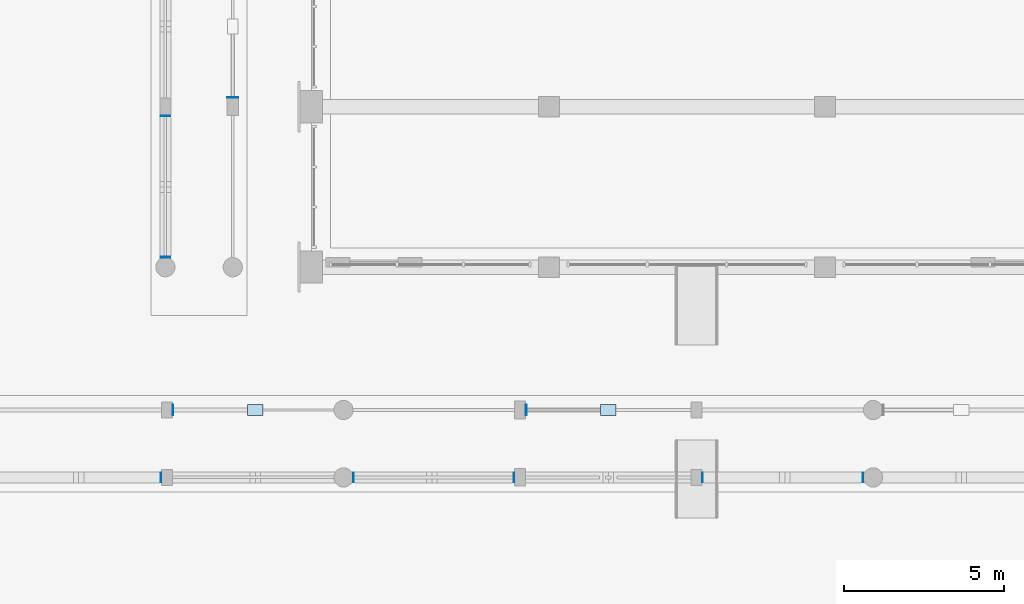
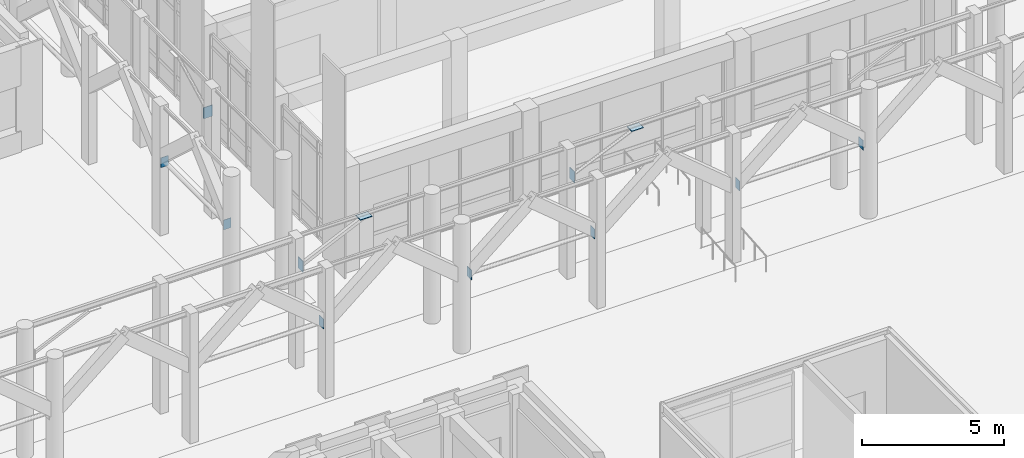
# One storey, part 80 of 135: 12 plates.
"""IFC4 building model written with IfcOpenShell, lengths in metres."""

from ifc_helpers import new_model, si_unit, direction, frame, origin, origin_2d, place, context, subcontext, project, spatial, rectangle, extrude, material, layer, layer_set, type_object, element, save


model = new_model("IFC4")

# Units and contexts
model_context = context("Model", 3, precision=1e-05, world=origin(), true_north=direction((0.0, 1.0)))
body_context = subcontext(model_context, "Body", "Model", "MODEL_VIEW")
ifc_project = project(units=[si_unit("LENGTHUNIT", "METRE"), si_unit("AREAUNIT", "SQUARE_METRE"), si_unit("VOLUMEUNIT", "CUBIC_METRE"), si_unit("PLANEANGLEUNIT", "RADIAN"), si_unit("MASSUNIT", "GRAM", prefix="KILO")], contexts=[model_context])

# Site, building, storey
site_placement = place(None, origin())
site = spatial("IfcSite", under=ifc_project, at=site_placement, CompositionType="ELEMENT")
building_placement = place(site_placement, origin())
building = spatial("IfcBuilding", under=site, at=building_placement, Name="Kiranvali Square Residences", CompositionType="ELEMENT")
storey_placement = place(building_placement, origin())
storey = spatial("IfcBuildingStorey", under=building, at=storey_placement, Name="L00", CompositionType="ELEMENT", Elevation=0.0)

# Plates
ifc_material = material(Name="Structural steel E350", Category="steel")
ifc_layer_1 = layer(ifc_material, 0.02001953125)
ifc_layer_set_1 = layer_set([ifc_layer_1], Name="Structural steel E350")
plate_type_1 = type_object("IfcPlateType", Name="PLT-ENDCAP-20", PredefinedType="SHEET", material=ifc_layer_set_1)
for number, where, z_axis, x_axis, name in (
    (1, (67.31396484375, 37.449951171875, 2.93994140625), (0.0, 0.0, 1.0), (1.0, 0.0, 0.0), "Colonnade tie-rod end plate ARC-GDN-S-5B"),
    (2, (73.31103515625, 37.449951171875, 2.93994140625), (0.0, 0.0, 1.0), (1.0, 0.0, 0.0), "Colonnade tie-rod end plate ARC-GDN-S-7A"),
    (3, (78.31396484375, 37.449951171875, 2.93994140625), (0.0, 0.0, 1.0), (1.0, 0.0, 0.0), "Colonnade tie-rod end plate ARC-GDN-S-7B"),
    (4, (84.18603515625, 37.449951171875, 2.93994140625), (0.0, 0.0, 1.0), (1.0, 0.0, 0.0), "Colonnade tie-rod end plate ARC-GDN-S-9A"),
    (5, (89.18896484375, 37.449951171875, 2.93994140625), (0.0, 0.0, 1.0), (1.0, 0.0, 0.0), "Colonnade tie-rod end plate ARC-GDN-S-9B"),
):
    element("IfcPlate", number, at=place(storey_placement, frame(where, z_axis=z_axis, x_axis=x_axis)), inside=storey, type_object=plate_type_1, Name=name, PredefinedType="SHEET", context=body_context, shape_type="SweptSolid", body=[
        extrude(rectangle(XDim=0.02001953125, YDim=0.300048828125, at=origin_2d()), origin(), (0.0, 0.0, 1.0), 0.419921875),
    ])
for number, where, z_axis, x_axis, name in (
    (6, (67.449951171875, 44.31103515625, 2.93994140625), (0.0, 0.0, 1.0), (1.0, 0.0, 0.0), "Colonnade tie-rod end plate ARC-GDN-W-1A"),
    (7, (67.449951171875, 48.714111328125, 2.93994140625), (0.0, 0.0, 1.0), (1.0, 0.0, 0.0), "Colonnade tie-rod end plate ARC-GDN-W-1B"),
):
    element("IfcPlate", number, at=place(storey_placement, frame(where, z_axis=z_axis, x_axis=x_axis)), inside=storey, type_object=plate_type_1, Name=name, PredefinedType="SHEET", context=body_context, shape_type="SweptSolid", body=[
        extrude(rectangle(XDim=0.300048828125, YDim=0.02001953125, at=origin_2d()), origin(), (0.0, 0.0, 1.0), 0.419921875),
    ])
ifc_layer_2 = layer(ifc_material, 0.02490234375)
ifc_layer_set_2 = layer_set([ifc_layer_2], Name="Structural steel E350")
plate_type_2 = type_object("IfcPlateType", Name="PLT-GUSSET-25", PredefinedType="USERDEFINED", material=ifc_layer_set_2)
plate_1_placement = place(storey_placement, frame((67.68896484375, 39.550048828125, 3.9599609375), z_axis=(0.0, 0.0, 1.0), x_axis=(1.0, 0.0, 0.0)))
element("IfcPlate", 8, at=plate_1_placement, inside=storey, type_object=plate_type_2, Name="Colonnade knee-brace lower gusset ARC-GDN-S-6A", ObjectType="GUSSET PLATE", PredefinedType="USERDEFINED", context=body_context, shape_type="SweptSolid", body=[
    extrude(rectangle(XDim=0.02490234375, YDim=0.340087890625, at=origin_2d()), origin(), (0.0, 0.0, 1.0), 0.47998046875),
])
plate_2_placement = place(storey_placement, frame((70.25, 39.550048828125, 5.383544921875), z_axis=(0.0, 0.0, 1.0), x_axis=(1.0, 0.0, 0.0)))
element("IfcPlate", 9, at=plate_2_placement, inside=storey, type_object=plate_type_2, Name="Colonnade knee-brace upper gusset ARC-GDN-S-6B", ObjectType="GUSSET PLATE", PredefinedType="USERDEFINED", context=body_context, shape_type="SweptSolid", body=[
    extrude(rectangle(XDim=0.47998046875, YDim=0.340087890625, at=origin_2d()), origin(), (0.0, 0.0, 1.0), 0.02490234375),
])
plate_3_placement = place(storey_placement, frame((78.68896484375, 39.550048828125, 3.9599609375), z_axis=(0.0, 0.0, 1.0), x_axis=(1.0, 0.0, 0.0)))
element("IfcPlate", 10, at=plate_3_placement, inside=storey, type_object=plate_type_2, Name="Colonnade knee-brace lower gusset ARC-GDN-S-8A", ObjectType="GUSSET PLATE", PredefinedType="USERDEFINED", context=body_context, shape_type="SweptSolid", body=[
    extrude(rectangle(XDim=0.02490234375, YDim=0.340087890625, at=origin_2d()), origin(), (0.0, 0.0, 1.0), 0.47998046875),
])
plate_4_placement = place(storey_placement, frame((81.25, 39.550048828125, 5.33349609375), z_axis=(0.0, 0.0, 1.0), x_axis=(1.0, 0.0, 0.0)))
element("IfcPlate", 11, at=plate_4_placement, inside=storey, type_object=plate_type_2, Name="Colonnade knee-brace upper gusset ARC-GDN-S-8B", ObjectType="GUSSET PLATE", PredefinedType="USERDEFINED", context=body_context, shape_type="SweptSolid", body=[
    extrude(rectangle(XDim=0.47998046875, YDim=0.340087890625, at=origin_2d()), origin(), (0.0, 0.0, 1.0), 0.02490234375),
])
plate_5_placement = place(storey_placement, frame((69.550048828125, 49.2890625, 3.9599609375), z_axis=(0.0, 0.0, 1.0), x_axis=(1.0, 0.0, 0.0)))
element("IfcPlate", 12, at=plate_5_placement, inside=storey, type_object=plate_type_2, Name="Colonnade knee-brace lower gusset ARC-GDN-W-2A", ObjectType="GUSSET PLATE", PredefinedType="USERDEFINED", context=body_context, shape_type="SweptSolid", body=[
    extrude(rectangle(XDim=0.340087890625, YDim=0.02490234375, at=origin_2d()), origin(), (0.0, 0.0, 1.0), 0.47998046875),
])

save(model, "model.ifc")
